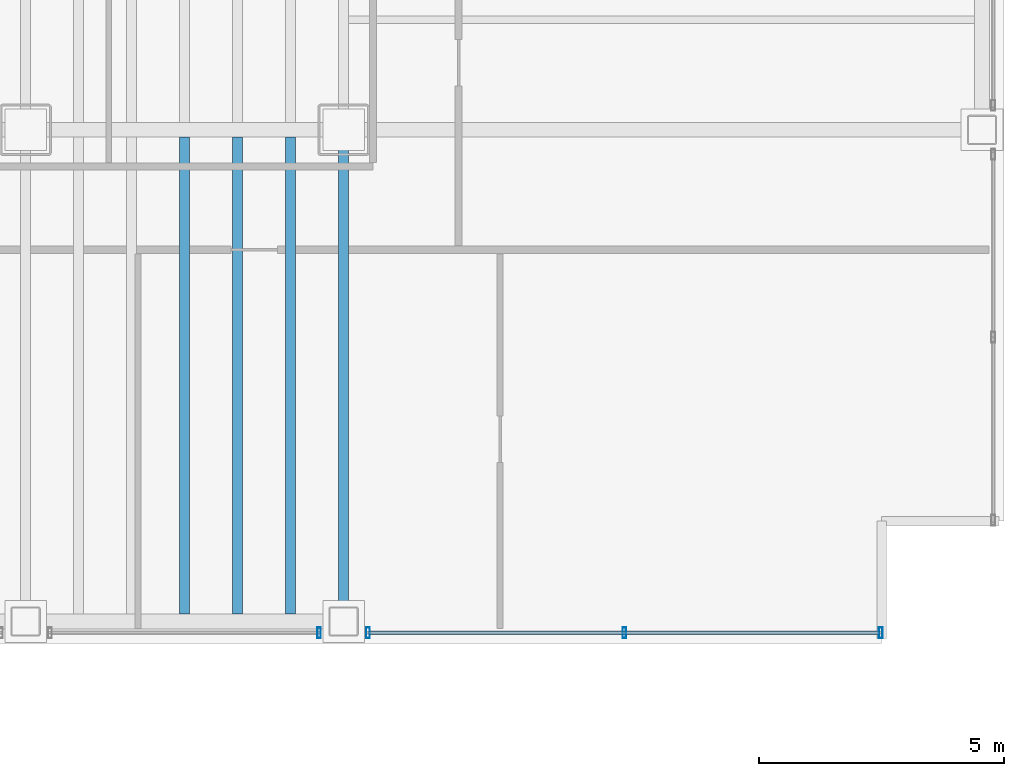
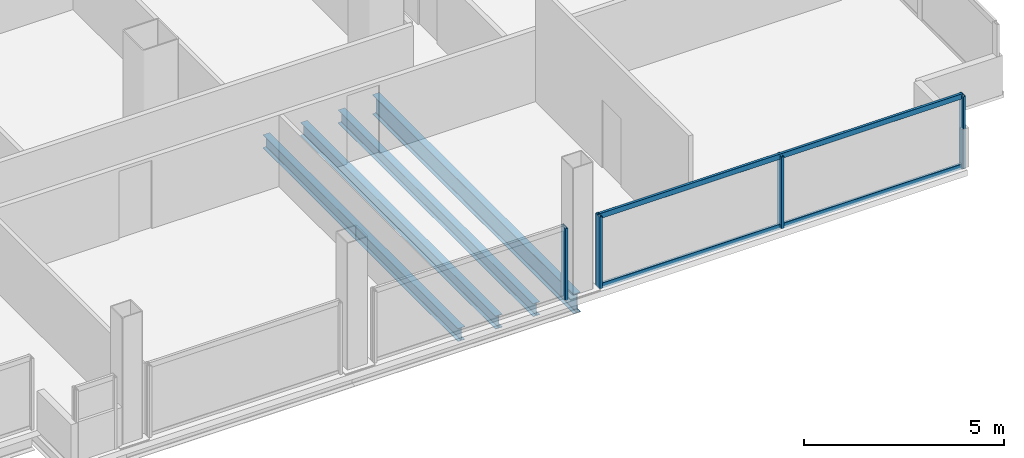
# One storey, part 9 of 21: 6 members, 4 beams, 2 elements without a shape of their own.
"""IFC4 building model written with IfcOpenShell, lengths in metres."""

from ifc_helpers import new_model, si_unit, direction, frame, origin, origin_2d, place, context, subcontext, project, spatial, hollow_rectangle, i_section, extrude, material, material_profile, profile_set, type_object, element, aggregate, save


model = new_model("IFC4")

# Units and contexts
model_context = context("Model", 3, precision=1e-05, world=origin(), true_north=direction((0.0, 1.0)))
body_context = subcontext(model_context, "Body", "Model", "MODEL_VIEW")
ifc_project = project(units=[si_unit("LENGTHUNIT", "METRE"), si_unit("AREAUNIT", "SQUARE_METRE"), si_unit("VOLUMEUNIT", "CUBIC_METRE"), si_unit("PLANEANGLEUNIT", "RADIAN"), si_unit("MASSUNIT", "GRAM", prefix="KILO")], contexts=[model_context])

# Site, building, storey
site_placement = place(None, origin())
site = spatial("IfcSite", under=ifc_project, at=site_placement, CompositionType="ELEMENT")
building_placement = place(site_placement, origin())
building = spatial("IfcBuilding", under=site, at=building_placement, Name="Noeulbin Bourse Tower", CompositionType="ELEMENT")
storey_placement = place(building_placement, frame((0.0, 0.0, 96.699951171875)))
storey = spatial("IfcBuildingStorey", under=building, at=storey_placement, Name="L24", CompositionType="ELEMENT", Elevation=96.699951171875)

# Beams
ifc_material_1 = material(Name="Steel S355", Category="steel")
ifc_material_profile_1 = material_profile(ifc_material_1, i_section(OverallWidth=0.199951171875, OverallDepth=0.60009765625, WebThickness=0.010986328125, FlangeThickness=0.01708984375, FilletRadius=0.02197265625, at=origin_2d()), Name="H-600x200x11x17", Category="LoadBearing")
ifc_profile_set_1 = profile_set([ifc_material_profile_1], Name="Steel S355")
beam_type_1 = type_object("IfcBeamType", Name="BM-GRD-600", PredefinedType="USERDEFINED", material=ifc_profile_set_1)
beam_placement = place(storey_placement, frame((44.0, 9.949951171875, -0.47998046875), z_axis=(0.0, 1.0, 0.0), x_axis=(-1.0, 0.0, 0.0)))
element("IfcBeam", 1, at=beam_placement, inside=storey, type_object=beam_type_1, Name="Tower Primary Girder NS L24-5.1", ObjectType="GIRDER", PredefinedType="USERDEFINED", context=body_context, shape_type="SweptSolid", body=[
    extrude(i_section(OverallWidth=0.199951171875, OverallDepth=0.60009765625, WebThickness=0.010986328125, FlangeThickness=0.01708984375, FilletRadius=0.02197265625, at=origin_2d()), origin(), (0.0, 0.0, 1.0), 10.050048828125),
])
ifc_material_profile_2 = material_profile(ifc_material_1, i_section(OverallWidth=0.199951171875, OverallDepth=0.39990234375, WebThickness=0.008056640625, FlangeThickness=0.012939453125, FilletRadius=0.01611328125, at=origin_2d()), Name="H-400x200x8x13", Category="LoadBearing")
ifc_profile_set_2 = profile_set([ifc_material_profile_2], Name="Steel S355")
beam_type_2 = type_object("IfcBeamType", Name="BM-SEC-400", PredefinedType="BEAM", material=ifc_profile_set_2)
for number, where, z_axis, x_axis, name in (
    (2, (40.75, 10.10009765625, -0.3798828125), (0.0, 1.0, 0.0), (-1.0, 0.0, 0.0), "Tower Composite Joist L24-61"),
    (3, (41.833251953125, 10.10009765625, -0.3798828125), (0.0, 1.0, 0.0), (-1.0, 0.0, 0.0), "Tower Composite Joist L24-64"),
    (4, (42.916748046875, 10.10009765625, -0.3798828125), (0.0, 1.0, 0.0), (-1.0, 0.0, 0.0), "Tower Composite Joist L24-67"),
):
    element("IfcBeam", number, at=place(storey_placement, frame(where, z_axis=z_axis, x_axis=x_axis)), inside=storey, type_object=beam_type_2, Name=name, PredefinedType="BEAM", context=body_context, shape_type="SweptSolid", body=[
        extrude(i_section(OverallWidth=0.199951171875, OverallDepth=0.39990234375, WebThickness=0.008056640625, FlangeThickness=0.012939453125, FilletRadius=0.01611328125, at=origin_2d()), origin(), (0.0, 0.0, 1.0), 9.75),
    ])

# Curtain wall, member
ifc_material_2 = material(Name="Dark Solar-Control Double Glazing", Category="glass")
curtain_wall_type = type_object("IfcCurtainWallType", Name="CW-SYS-2", PredefinedType="NOTDEFINED", material=ifc_material_2)
curtain_wall_1_placement = place(storey_placement, origin())
curtain_wall_1 = element("IfcCurtainWall", 5, at=curtain_wall_1_placement, inside=storey, type_object=curtain_wall_type, Name="Unitised Curtain Wall CW-L24-S3-S3", PredefinedType="NOTDEFINED")
ifc_material_3 = material(Name="Anodised Aluminium 6063-T6", Category="aluminium")
ifc_material_profile_3 = material_profile(ifc_material_3, hollow_rectangle(XDim=0.074951171875, YDim=0.219970703125, WallThickness=0.0048828125, InnerFilletRadius=0.00244140625, OuterFilletRadius=0.0048828125, at=origin_2d()), Name="ALU-MULL-75x220x5", Category="LoadBearing")
ifc_profile_set_3 = profile_set([ifc_material_profile_3], Name="Anodised Aluminium 6063-T6")
member_type_1 = type_object("IfcMemberType", Name="CW-SYS-2-MUL", PredefinedType="MULLION", material=ifc_profile_set_3)
member_1_placement = place(storey_placement, frame((43.5, 9.719970703125, -0.02001953125), z_axis=(0.0, 0.0, 1.0), x_axis=(1.0, 0.0, 0.0)))
member_1 = element("IfcMember", 6, at=member_1_placement, type_object=member_type_1, Name="Curtain Wall Mullion CW-L24-S3-S3-M01", PredefinedType="MULLION", context=body_context, shape_type="SweptSolid", body=[
    extrude(hollow_rectangle(XDim=0.074951171875, YDim=0.219970703125, WallThickness=0.0048828125, InnerFilletRadius=0.00244140625, OuterFilletRadius=0.0048828125, at=origin_2d()), origin(), (0.0, 0.0, 1.0), 2.199951171875),
])
aggregate(curtain_wall_1, [member_1])

# Curtain wall, members
curtain_wall_2_placement = place(storey_placement, origin())
curtain_wall_2 = element("IfcCurtainWall", 7, at=curtain_wall_2_placement, inside=storey, type_object=curtain_wall_type, Name="Unitised Curtain Wall CW-L24-S3-S4", PredefinedType="NOTDEFINED")
member_2_placement = place(storey_placement, frame((44.5, 9.719970703125, -0.02001953125), z_axis=(0.0, 0.0, 1.0), x_axis=(1.0, 0.0, 0.0)))
member_2 = element("IfcMember", 8, at=member_2_placement, type_object=member_type_1, Name="Curtain Wall Mullion CW-L24-S3-S4-M00", PredefinedType="MULLION", context=body_context, shape_type="SweptSolid", body=[
    extrude(hollow_rectangle(XDim=0.074951171875, YDim=0.219970703125, WallThickness=0.0048828125, InnerFilletRadius=0.00244140625, OuterFilletRadius=0.0048828125, at=origin_2d()), origin(), (0.0, 0.0, 1.0), 2.199951171875),
])
member_3_placement = place(storey_placement, frame((49.739990234375, 9.719970703125, -0.02001953125), z_axis=(0.0, 0.0, 1.0), x_axis=(1.0, 0.0, 0.0)))
member_3 = element("IfcMember", 9, at=member_3_placement, type_object=member_type_1, Name="Curtain Wall Mullion CW-L24-S3-S4-M01", PredefinedType="MULLION", context=body_context, shape_type="SweptSolid", body=[
    extrude(hollow_rectangle(XDim=0.074951171875, YDim=0.219970703125, WallThickness=0.0048828125, InnerFilletRadius=0.00244140625, OuterFilletRadius=0.0048828125, at=origin_2d()), origin(), (0.0, 0.0, 1.0), 2.199951171875),
])
member_4_placement = place(storey_placement, frame((54.97998046875, 9.719970703125, -0.02001953125), z_axis=(0.0, 0.0, 1.0), x_axis=(1.0, 0.0, 0.0)))
member_4 = element("IfcMember", 10, at=member_4_placement, type_object=member_type_1, Name="Curtain Wall Mullion CW-L24-S3-S4-M02", PredefinedType="MULLION", context=body_context, shape_type="SweptSolid", body=[
    extrude(hollow_rectangle(XDim=0.074951171875, YDim=0.219970703125, WallThickness=0.0048828125, InnerFilletRadius=0.00244140625, OuterFilletRadius=0.0048828125, at=origin_2d()), origin(), (0.0, 0.0, 1.0), 2.199951171875),
])
ifc_material_profile_4 = material_profile(ifc_material_3, hollow_rectangle(XDim=0.074951171875, YDim=0.159912109375, WallThickness=0.0048828125, InnerFilletRadius=0.00244140625, OuterFilletRadius=0.0048828125, at=origin_2d()), Name="ALU-TRAN-75x160x5", Category="LoadBearing")
ifc_profile_set_4 = profile_set([ifc_material_profile_4], Name="Anodised Aluminium 6063-T6")
member_type_2 = type_object("IfcMemberType", Name="CW-SYS-2-TRN", PredefinedType="USERDEFINED", material=ifc_profile_set_4)
member_5_placement = place(storey_placement, frame((44.510009765625, 9.719970703125, 0.010009765625), z_axis=(1.0, 0.0, 0.0), x_axis=(0.0, 1.0, 0.0)))
member_5 = element("IfcMember", 11, at=member_5_placement, type_object=member_type_2, Name="Curtain Wall Transom CW-L24-S3-S4-T00", ObjectType="TRANSOM", PredefinedType="USERDEFINED", context=body_context, shape_type="SweptSolid", body=[
    extrude(hollow_rectangle(XDim=0.074951171875, YDim=0.159912109375, WallThickness=0.0048828125, InnerFilletRadius=0.00244140625, OuterFilletRadius=0.0048828125, at=origin_2d()), origin(), (0.0, 0.0, 1.0), 10.4599609375),
])
member_6_placement = place(storey_placement, frame((44.510009765625, 9.719970703125, 2.150146484375), z_axis=(1.0, 0.0, 0.0), x_axis=(0.0, 1.0, 0.0)))
member_6 = element("IfcMember", 12, at=member_6_placement, type_object=member_type_2, Name="Curtain Wall Transom CW-L24-S3-S4-T01", ObjectType="TRANSOM", PredefinedType="USERDEFINED", context=body_context, shape_type="SweptSolid", body=[
    extrude(hollow_rectangle(XDim=0.074951171875, YDim=0.159912109375, WallThickness=0.0048828125, InnerFilletRadius=0.00244140625, OuterFilletRadius=0.0048828125, at=origin_2d()), origin(), (0.0, 0.0, 1.0), 10.4599609375),
])
aggregate(curtain_wall_2, [member_2, member_3, member_4, member_5, member_6])

save(model, "model.ifc")
